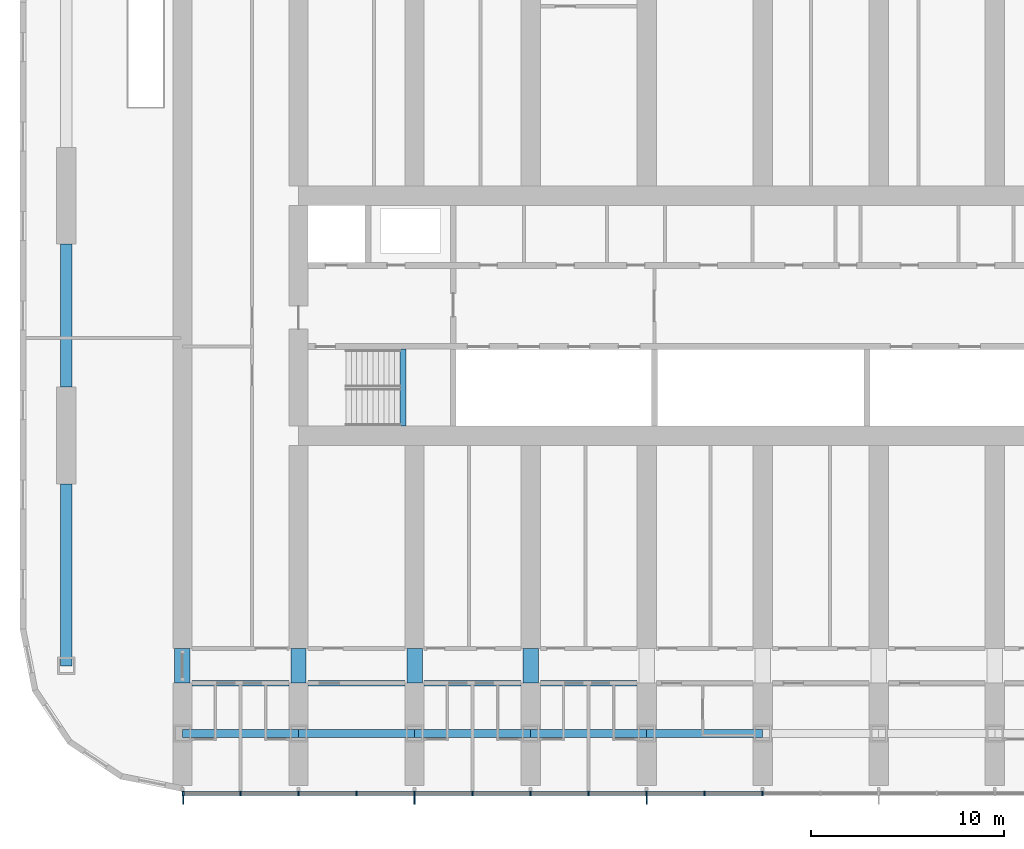
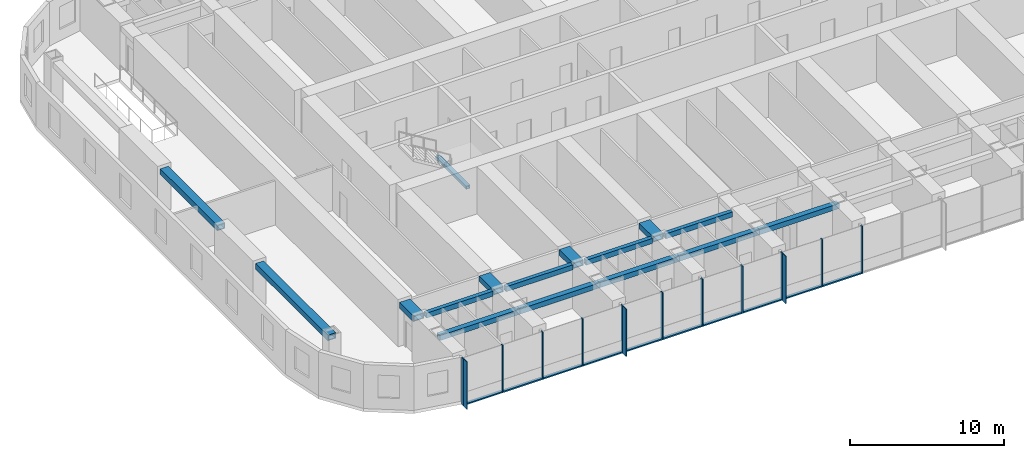
# One storey, part 2 of 23: 24 members, 16 beams, 1 element without a shape of its own.
"""IFC4 building model written with IfcOpenShell, lengths in metres."""

from ifc_helpers import new_model, si_unit, direction, frame, origin, origin_2d, place, context, subcontext, project, spatial, rectangle, hollow_rectangle, extrude, material, material_profile, profile_set, type_object, element, aggregate, save


model = new_model("IFC4")

# Units and contexts
model_context = context("Model", 3, precision=1e-05, world=origin(), true_north=direction((0.0, 1.0)))
body_context = subcontext(model_context, "Body", "Model", "MODEL_VIEW")
ifc_project = project(units=[si_unit("LENGTHUNIT", "METRE"), si_unit("AREAUNIT", "SQUARE_METRE"), si_unit("VOLUMEUNIT", "CUBIC_METRE"), si_unit("PLANEANGLEUNIT", "RADIAN"), si_unit("MASSUNIT", "GRAM", prefix="KILO")], contexts=[model_context])

# Site, building, storey
site_placement = place(None, origin())
site = spatial("IfcSite", under=ifc_project, at=site_placement, CompositionType="ELEMENT")
building_placement = place(site_placement, origin())
building = spatial("IfcBuilding", under=site, at=building_placement, Name="Orbita Commons", CompositionType="ELEMENT")
storey_placement = place(building_placement, frame((0.0, 0.0, 42.699951171875)))
storey = spatial("IfcBuildingStorey", under=building, at=storey_placement, Name="L10", CompositionType="ELEMENT", Elevation=42.699951171875)

# Curtain wall, members
ifc_material_1 = material(Name="Anodised aluminium frame, pale silver", Category="aluminium")
curtain_wall_type = type_object("IfcCurtainWallType", Name="Unitised curtain wall CW-T, vision and spandrel", PredefinedType="NOTDEFINED", material=ifc_material_1)
curtain_wall_placement = place(storey_placement, origin())
curtain_wall = element("IfcCurtainWall", 1, at=curtain_wall_placement, inside=storey, type_object=curtain_wall_type, Name="Curtain wall south L10", PredefinedType="NOTDEFINED")
ifc_material_2 = material(Name="Anodised aluminium, pale silver", Category="aluminium")
ifc_material_profile_1 = material_profile(ifc_material_2, rectangle(XDim=0.080078125, YDim=0.219970703125, at=origin_2d()), Name="AL 80x220")
ifc_profile_set_1 = profile_set([ifc_material_profile_1], Name="Anodised aluminium, pale silver")
member_type_1 = type_object("IfcMemberType", Name="Curtain wall mullion 80x220", PredefinedType="MULLION", material=ifc_profile_set_1)
member_1_placement = place(storey_placement, frame((12.0400390625, 7.2900390625, -0.25), z_axis=(0.0, 0.0, 1.0), x_axis=(1.0, 0.0, 0.0)))
member_1 = element("IfcMember", 2, at=member_1_placement, type_object=member_type_1, Name="Mullion 1 CW-L10-S", PredefinedType="MULLION", context=body_context, shape_type="SweptSolid", body=[
    extrude(rectangle(XDim=0.080078125, YDim=0.219970703125, at=origin_2d()), origin(), (0.0, 0.0, 1.0), 3.75),
])
member_2_placement = place(storey_placement, frame((15.0, 7.2900390625, -0.25), z_axis=(0.0, 0.0, 1.0), x_axis=(1.0, 0.0, 0.0)))
member_2 = element("IfcMember", 3, at=member_2_placement, type_object=member_type_1, Name="Mullion 2 CW-L10-S", PredefinedType="MULLION", context=body_context, shape_type="SweptSolid", body=[
    extrude(rectangle(XDim=0.080078125, YDim=0.219970703125, at=origin_2d()), origin(), (0.0, 0.0, 1.0), 3.75),
])
member_3_placement = place(storey_placement, frame((18.0, 7.2900390625, -0.25), z_axis=(0.0, 0.0, 1.0), x_axis=(1.0, 0.0, 0.0)))
member_3 = element("IfcMember", 4, at=member_3_placement, type_object=member_type_1, Name="Mullion 3 CW-L10-S", PredefinedType="MULLION", context=body_context, shape_type="SweptSolid", body=[
    extrude(rectangle(XDim=0.080078125, YDim=0.219970703125, at=origin_2d()), origin(), (0.0, 0.0, 1.0), 3.75),
])
member_4_placement = place(storey_placement, frame((21.0, 7.2900390625, -0.25), z_axis=(0.0, 0.0, 1.0), x_axis=(1.0, 0.0, 0.0)))
member_4 = element("IfcMember", 5, at=member_4_placement, type_object=member_type_1, Name="Mullion 4 CW-L10-S", PredefinedType="MULLION", context=body_context, shape_type="SweptSolid", body=[
    extrude(rectangle(XDim=0.080078125, YDim=0.219970703125, at=origin_2d()), origin(), (0.0, 0.0, 1.0), 3.75),
])
member_5_placement = place(storey_placement, frame((24.0, 7.2900390625, -0.25), z_axis=(0.0, 0.0, 1.0), x_axis=(1.0, 0.0, 0.0)))
member_5 = element("IfcMember", 6, at=member_5_placement, type_object=member_type_1, Name="Mullion 5 CW-L10-S", PredefinedType="MULLION", context=body_context, shape_type="SweptSolid", body=[
    extrude(rectangle(XDim=0.080078125, YDim=0.219970703125, at=origin_2d()), origin(), (0.0, 0.0, 1.0), 3.75),
])
member_6_placement = place(storey_placement, frame((27.0, 7.2900390625, -0.25), z_axis=(0.0, 0.0, 1.0), x_axis=(1.0, 0.0, 0.0)))
member_6 = element("IfcMember", 7, at=member_6_placement, type_object=member_type_1, Name="Mullion 6 CW-L10-S", PredefinedType="MULLION", context=body_context, shape_type="SweptSolid", body=[
    extrude(rectangle(XDim=0.080078125, YDim=0.219970703125, at=origin_2d()), origin(), (0.0, 0.0, 1.0), 3.75),
])
member_7_placement = place(storey_placement, frame((30.0, 7.2900390625, -0.25), z_axis=(0.0, 0.0, 1.0), x_axis=(1.0, 0.0, 0.0)))
member_7 = element("IfcMember", 8, at=member_7_placement, type_object=member_type_1, Name="Mullion 7 CW-L10-S", PredefinedType="MULLION", context=body_context, shape_type="SweptSolid", body=[
    extrude(rectangle(XDim=0.080078125, YDim=0.219970703125, at=origin_2d()), origin(), (0.0, 0.0, 1.0), 3.75),
])
member_8_placement = place(storey_placement, frame((33.0, 7.2900390625, -0.25), z_axis=(0.0, 0.0, 1.0), x_axis=(1.0, 0.0, 0.0)))
member_8 = element("IfcMember", 9, at=member_8_placement, type_object=member_type_1, Name="Mullion 8 CW-L10-S", PredefinedType="MULLION", context=body_context, shape_type="SweptSolid", body=[
    extrude(rectangle(XDim=0.080078125, YDim=0.219970703125, at=origin_2d()), origin(), (0.0, 0.0, 1.0), 3.75),
])
member_9_placement = place(storey_placement, frame((36.0, 7.2900390625, -0.25), z_axis=(0.0, 0.0, 1.0), x_axis=(1.0, 0.0, 0.0)))
member_9 = element("IfcMember", 10, at=member_9_placement, type_object=member_type_1, Name="Mullion 9 CW-L10-S", PredefinedType="MULLION", context=body_context, shape_type="SweptSolid", body=[
    extrude(rectangle(XDim=0.080078125, YDim=0.219970703125, at=origin_2d()), origin(), (0.0, 0.0, 1.0), 3.75),
])
member_10_placement = place(storey_placement, frame((39.0, 7.2900390625, -0.25), z_axis=(0.0, 0.0, 1.0), x_axis=(1.0, 0.0, 0.0)))
member_10 = element("IfcMember", 11, at=member_10_placement, type_object=member_type_1, Name="Mullion 10 CW-L10-S", PredefinedType="MULLION", context=body_context, shape_type="SweptSolid", body=[
    extrude(rectangle(XDim=0.080078125, YDim=0.219970703125, at=origin_2d()), origin(), (0.0, 0.0, 1.0), 3.75),
])
member_11_placement = place(storey_placement, frame((42.0, 7.2900390625, -0.25), z_axis=(0.0, 0.0, 1.0), x_axis=(1.0, 0.0, 0.0)))
member_11 = element("IfcMember", 12, at=member_11_placement, type_object=member_type_1, Name="Mullion 11 CW-L10-S", PredefinedType="MULLION", context=body_context, shape_type="SweptSolid", body=[
    extrude(rectangle(XDim=0.080078125, YDim=0.219970703125, at=origin_2d()), origin(), (0.0, 0.0, 1.0), 3.75),
])
ifc_material_3 = material(Name="Anodised aluminium, pale silver", Category="aluminium")
ifc_material_profile_2 = material_profile(ifc_material_3, rectangle(XDim=0.219970703125, YDim=0.10009765625, at=origin_2d()), Name="AL 220x100")
ifc_profile_set_2 = profile_set([ifc_material_profile_2], Name="Anodised aluminium, pale silver")
member_type_2 = type_object("IfcMemberType", Name="Curtain wall stack transom 220x100", PredefinedType="USERDEFINED", material=ifc_profile_set_2)
member_12_placement = place(storey_placement, frame((12.080078125, 7.2900390625, -0.199951171875), z_axis=(1.0, 0.0, 0.0), x_axis=(0.0, 1.0, 0.0)))
member_12 = element("IfcMember", 13, at=member_12_placement, type_object=member_type_2, Name="Transom 1.1 CW-L10-S", ObjectType="TRANSOM", PredefinedType="USERDEFINED", context=body_context, shape_type="SweptSolid", body=[
    extrude(rectangle(XDim=0.219970703125, YDim=0.10009765625, at=origin_2d()), origin(), (0.0, 0.0, 1.0), 2.8798828125),
])
member_13_placement = place(storey_placement, frame((15.0400390625, 7.2900390625, -0.199951171875), z_axis=(1.0, 0.0, 0.0), x_axis=(0.0, 1.0, 0.0)))
member_13 = element("IfcMember", 14, at=member_13_placement, type_object=member_type_2, Name="Transom 2.1 CW-L10-S", ObjectType="TRANSOM", PredefinedType="USERDEFINED", context=body_context, shape_type="SweptSolid", body=[
    extrude(rectangle(XDim=0.219970703125, YDim=0.10009765625, at=origin_2d()), origin(), (0.0, 0.0, 1.0), 2.919921875),
])
member_14_placement = place(storey_placement, frame((18.0400390625, 7.2900390625, -0.199951171875), z_axis=(1.0, 0.0, 0.0), x_axis=(0.0, 1.0, 0.0)))
member_14 = element("IfcMember", 15, at=member_14_placement, type_object=member_type_2, Name="Transom 3.1 CW-L10-S", ObjectType="TRANSOM", PredefinedType="USERDEFINED", context=body_context, shape_type="SweptSolid", body=[
    extrude(rectangle(XDim=0.219970703125, YDim=0.10009765625, at=origin_2d()), origin(), (0.0, 0.0, 1.0), 2.919921875),
])
member_15_placement = place(storey_placement, frame((21.0400390625, 7.2900390625, -0.199951171875), z_axis=(1.0, 0.0, 0.0), x_axis=(0.0, 1.0, 0.0)))
member_15 = element("IfcMember", 16, at=member_15_placement, type_object=member_type_2, Name="Transom 4.1 CW-L10-S", ObjectType="TRANSOM", PredefinedType="USERDEFINED", context=body_context, shape_type="SweptSolid", body=[
    extrude(rectangle(XDim=0.219970703125, YDim=0.10009765625, at=origin_2d()), origin(), (0.0, 0.0, 1.0), 2.919921875),
])
member_16_placement = place(storey_placement, frame((24.0400390625, 7.2900390625, -0.199951171875), z_axis=(1.0, 0.0, 0.0), x_axis=(0.0, 1.0, 0.0)))
member_16 = element("IfcMember", 17, at=member_16_placement, type_object=member_type_2, Name="Transom 5.1 CW-L10-S", ObjectType="TRANSOM", PredefinedType="USERDEFINED", context=body_context, shape_type="SweptSolid", body=[
    extrude(rectangle(XDim=0.219970703125, YDim=0.10009765625, at=origin_2d()), origin(), (0.0, 0.0, 1.0), 2.919921875),
])
member_17_placement = place(storey_placement, frame((27.0400390625, 7.2900390625, -0.199951171875), z_axis=(1.0, 0.0, 0.0), x_axis=(0.0, 1.0, 0.0)))
member_17 = element("IfcMember", 18, at=member_17_placement, type_object=member_type_2, Name="Transom 6.1 CW-L10-S", ObjectType="TRANSOM", PredefinedType="USERDEFINED", context=body_context, shape_type="SweptSolid", body=[
    extrude(rectangle(XDim=0.219970703125, YDim=0.10009765625, at=origin_2d()), origin(), (0.0, 0.0, 1.0), 2.919921875),
])
member_18_placement = place(storey_placement, frame((30.0400390625, 7.2900390625, -0.199951171875), z_axis=(1.0, 0.0, 0.0), x_axis=(0.0, 1.0, 0.0)))
member_18 = element("IfcMember", 19, at=member_18_placement, type_object=member_type_2, Name="Transom 7.1 CW-L10-S", ObjectType="TRANSOM", PredefinedType="USERDEFINED", context=body_context, shape_type="SweptSolid", body=[
    extrude(rectangle(XDim=0.219970703125, YDim=0.10009765625, at=origin_2d()), origin(), (0.0, 0.0, 1.0), 2.919921875),
])
member_19_placement = place(storey_placement, frame((33.0400390625, 7.2900390625, -0.199951171875), z_axis=(1.0, 0.0, 0.0), x_axis=(0.0, 1.0, 0.0)))
member_19 = element("IfcMember", 20, at=member_19_placement, type_object=member_type_2, Name="Transom 8.1 CW-L10-S", ObjectType="TRANSOM", PredefinedType="USERDEFINED", context=body_context, shape_type="SweptSolid", body=[
    extrude(rectangle(XDim=0.219970703125, YDim=0.10009765625, at=origin_2d()), origin(), (0.0, 0.0, 1.0), 2.919921875),
])
member_20_placement = place(storey_placement, frame((36.0400390625, 7.2900390625, -0.199951171875), z_axis=(1.0, 0.0, 0.0), x_axis=(0.0, 1.0, 0.0)))
member_20 = element("IfcMember", 21, at=member_20_placement, type_object=member_type_2, Name="Transom 9.1 CW-L10-S", ObjectType="TRANSOM", PredefinedType="USERDEFINED", context=body_context, shape_type="SweptSolid", body=[
    extrude(rectangle(XDim=0.219970703125, YDim=0.10009765625, at=origin_2d()), origin(), (0.0, 0.0, 1.0), 2.919921875),
])
member_21_placement = place(storey_placement, frame((39.0400390625, 7.2900390625, -0.199951171875), z_axis=(1.0, 0.0, 0.0), x_axis=(0.0, 1.0, 0.0)))
member_21 = element("IfcMember", 22, at=member_21_placement, type_object=member_type_2, Name="Transom 10.1 CW-L10-S", ObjectType="TRANSOM", PredefinedType="USERDEFINED", context=body_context, shape_type="SweptSolid", body=[
    extrude(rectangle(XDim=0.219970703125, YDim=0.10009765625, at=origin_2d()), origin(), (0.0, 0.0, 1.0), 2.919921875),
])

# Beams
ifc_material_4 = material(Name="Steel ASTM A572 Gr 50 welded plate", Category="steel")
ifc_material_profile_3 = material_profile(ifc_material_4, hollow_rectangle(XDim=0.300048828125, YDim=0.25, WallThickness=0.02490234375, at=origin_2d()), Name="BOX 250x300x25")
ifc_profile_set_3 = profile_set([ifc_material_profile_3], Name="Steel ASTM A572 Gr 50 welded plate")
beam_type_1 = type_object("IfcBeamType", Name="Stair landing beam steel BOX 250x300x25", PredefinedType="BEAM", material=ifc_profile_set_3)
beam_1_placement = place(storey_placement, frame((23.39990234375, 26.284912109375, 1.550048828125), z_axis=(0.0, 1.0, 0.0), x_axis=(-1.0, 0.0, 0.0)))
element("IfcBeam", 23, at=beam_1_placement, inside=storey, type_object=beam_type_1, Name="Stair S1 landing beam L10 1", PredefinedType="BEAM", context=body_context, shape_type="SweptSolid", body=[
    extrude(hollow_rectangle(XDim=0.300048828125, YDim=0.25, WallThickness=0.02490234375, at=origin_2d()), origin(), (0.0, 0.0, 1.0), 3.97998046875),
])
ifc_material_5 = material(Name="Steel ASTM A572 Gr 50 welded plate", Category="steel")
ifc_material_profile_4 = material_profile(ifc_material_5, hollow_rectangle(XDim=0.300048828125, YDim=0.39990234375, WallThickness=0.0400390625, at=origin_2d()), Name="BOX 400x300x40")
ifc_profile_set_4 = profile_set([ifc_material_profile_4], Name="Steel ASTM A572 Gr 50 welded plate")
beam_type_2 = type_object("IfcBeamType", Name="Steel corridor link BOX 400x300x40", PredefinedType="BEAM", material=ifc_profile_set_4)
for number, where, z_axis, x_axis, name in (
    (24, (12.5, 13.0, 3.300048828125), (1.0, 0.0, 0.0), (0.0, 1.0, 0.0), "Corridor beam SA 3-4 L10"),
    (25, (18.5, 13.0, 3.300048828125), (1.0, 0.0, 0.0), (0.0, 1.0, 0.0), "Corridor beam SA 4-5 L10"),
    (26, (24.5, 13.0, 3.300048828125), (1.0, 0.0, 0.0), (0.0, 1.0, 0.0), "Corridor beam SA 5-6 L10"),
    (27, (30.5, 13.0, 3.300048828125), (1.0, 0.0, 0.0), (0.0, 1.0, 0.0), "Corridor beam SA 6-7 L10"),
):
    element("IfcBeam", number, at=place(storey_placement, frame(where, z_axis=z_axis, x_axis=x_axis)), inside=storey, type_object=beam_type_2, Name=name, PredefinedType="BEAM", context=body_context, shape_type="SweptSolid", body=[
        extrude(hollow_rectangle(XDim=0.300048828125, YDim=0.39990234375, WallThickness=0.0400390625, at=origin_2d()), origin(), (0.0, 0.0, 1.0), 5.0),
    ])
ifc_material_6 = material(Name="Steel ASTM A572 Gr 50 welded plate", Category="steel")
ifc_material_profile_5 = material_profile(ifc_material_6, hollow_rectangle(XDim=0.800048828125, YDim=0.449951171875, WallThickness=0.06005859375, at=origin_2d()), Name="BOX 450x800x60")
ifc_profile_set_5 = profile_set([ifc_material_profile_5], Name="Steel ASTM A572 Gr 50 welded plate")
beam_type_3 = type_object("IfcBeamType", Name="Steel coupling link BOX 450x800x60", PredefinedType="LINTEL", material=ifc_profile_set_5)
for number, where, z_axis, x_axis, name in (
    (28, (12.0, 13.0, 3.275146484375), (0.0, 1.0, 0.0), (-1.0, 0.0, 0.0), "Coupling beam 3 south L10"),
    (29, (18.0, 13.0, 3.275146484375), (0.0, 1.0, 0.0), (-1.0, 0.0, 0.0), "Coupling beam 4 south L10"),
    (30, (24.0, 13.0, 3.275146484375), (0.0, 1.0, 0.0), (-1.0, 0.0, 0.0), "Coupling beam 5 south L10"),
    (31, (30.0, 13.0, 3.275146484375), (0.0, 1.0, 0.0), (-1.0, 0.0, 0.0), "Coupling beam 6 south L10"),
):
    element("IfcBeam", number, at=place(storey_placement, frame(where, z_axis=z_axis, x_axis=x_axis)), inside=storey, type_object=beam_type_3, Name=name, PredefinedType="LINTEL", context=body_context, shape_type="SweptSolid", body=[
        extrude(hollow_rectangle(XDim=0.800048828125, YDim=0.449951171875, WallThickness=0.06005859375, at=origin_2d()), origin(), (0.0, 0.0, 1.0), 1.800048828125),
    ])
ifc_material_7 = material(Name="Steel ASTM A572 Gr 50 welded plate", Category="steel")
ifc_material_profile_6 = material_profile(ifc_material_7, hollow_rectangle(XDim=0.60009765625, YDim=0.449951171875, WallThickness=0.06005859375, at=origin_2d()), Name="BOX 450x600x60")
ifc_profile_set_6 = profile_set([ifc_material_profile_6], Name="Steel ASTM A572 Gr 50 welded plate")
beam_type_4 = type_object("IfcBeamType", Name="Steel end frame link BOX 450x600x60", PredefinedType="BEAM", material=ifc_profile_set_6)
beam_2_placement = place(storey_placement, frame((6.0, 13.89990234375, 3.275146484375), z_axis=(0.0, 1.0, 0.0), x_axis=(-1.0, 0.0, 0.0)))
element("IfcBeam", 32, at=beam_2_placement, inside=storey, type_object=beam_type_4, Name="End frame beam 2 B-C L10", PredefinedType="BEAM", context=body_context, shape_type="SweptSolid", body=[
    extrude(hollow_rectangle(XDim=0.60009765625, YDim=0.449951171875, WallThickness=0.06005859375, at=origin_2d()), origin(), (0.0, 0.0, 1.0), 9.400146484375),
])
beam_3_placement = place(storey_placement, frame((6.0, 28.300048828125, 3.275146484375), z_axis=(0.0, 1.0, 0.0), x_axis=(-1.0, 0.0, 0.0)))
element("IfcBeam", 33, at=beam_3_placement, inside=storey, type_object=beam_type_4, Name="End frame beam 2 C-D L10", PredefinedType="BEAM", context=body_context, shape_type="SweptSolid", body=[
    extrude(hollow_rectangle(XDim=0.60009765625, YDim=0.449951171875, WallThickness=0.06005859375, at=origin_2d()), origin(), (0.0, 0.0, 1.0), 7.39990234375),
])
ifc_material_8 = material(Name="Steel ASTM A572 Gr 50 welded plate", Category="steel")
ifc_material_profile_7 = material_profile(ifc_material_8, hollow_rectangle(XDim=0.39990234375, YDim=0.39990234375, WallThickness=0.0400390625, at=origin_2d()), Name="BOX 400x400x40")
ifc_profile_set_7 = profile_set([ifc_material_profile_7], Name="Steel ASTM A572 Gr 50 welded plate")
beam_type_5 = type_object("IfcBeamType", Name="Steel spandrel BOX 400x400x40", PredefinedType="SPANDREL", material=ifc_profile_set_7)
for number, where, z_axis, x_axis, name in (
    (34, (12.0, 10.39990234375, 3.300048828125), (1.0, 0.0, 0.0), (0.0, 1.0, 0.0), "Spandrel beam B 3-4 L10"),
    (35, (18.0, 10.39990234375, 3.300048828125), (1.0, 0.0, 0.0), (0.0, 1.0, 0.0), "Spandrel beam B 4-5 L10"),
    (36, (24.0, 10.39990234375, 3.300048828125), (1.0, 0.0, 0.0), (0.0, 1.0, 0.0), "Spandrel beam B 5-6 L10"),
    (37, (30.0, 10.39990234375, 3.300048828125), (1.0, 0.0, 0.0), (0.0, 1.0, 0.0), "Spandrel beam B 6-7 L10"),
    (38, (36.0, 10.39990234375, 3.300048828125), (1.0, 0.0, 0.0), (0.0, 1.0, 0.0), "Spandrel beam B 7-8 L10"),
):
    element("IfcBeam", number, at=place(storey_placement, frame(where, z_axis=z_axis, x_axis=x_axis)), inside=storey, type_object=beam_type_5, Name=name, PredefinedType="SPANDREL", context=body_context, shape_type="SweptSolid", body=[
        extrude(hollow_rectangle(XDim=0.39990234375, YDim=0.39990234375, WallThickness=0.0400390625, at=origin_2d()), origin(), (0.0, 0.0, 1.0), 6.0),
    ])

# Member
ifc_material_9 = material(Name="Anodised aluminium, pale silver", Category="aluminium")
ifc_material_profile_8 = material_profile(ifc_material_9, rectangle(XDim=0.06005859375, YDim=0.449951171875, at=origin_2d()), Name="FIN 60x450")
ifc_profile_set_8 = profile_set([ifc_material_profile_8], Name="Anodised aluminium, pale silver")
member_type_3 = type_object("IfcMemberType", Name="Vertical fin 60x450 pale aluminium", PredefinedType="USERDEFINED", material=ifc_profile_set_8)
member_22_placement = place(storey_placement, frame((12.0400390625, 6.955078125, -0.25), z_axis=(0.0, 0.0, 1.0), x_axis=(1.0, 0.0, 0.0)))
member_22 = element("IfcMember", 39, at=member_22_placement, type_object=member_type_3, Name="Fin 1 CW-L10-S", ObjectType="FIN", PredefinedType="USERDEFINED", context=body_context, shape_type="SweptSolid", body=[
    extrude(rectangle(XDim=0.06005859375, YDim=0.449951171875, at=origin_2d()), origin(), (0.0, 0.0, 1.0), 3.75),
])

member_23_placement = place(storey_placement, frame((24.0, 6.955078125, -0.25), z_axis=(0.0, 0.0, 1.0), x_axis=(1.0, 0.0, 0.0)))
member_23 = element("IfcMember", 40, at=member_23_placement, type_object=member_type_3, Name="Fin 5 CW-L10-S", ObjectType="FIN", PredefinedType="USERDEFINED", context=body_context, shape_type="SweptSolid", body=[
    extrude(rectangle(XDim=0.06005859375, YDim=0.449951171875, at=origin_2d()), origin(), (0.0, 0.0, 1.0), 3.75),
])

member_24_placement = place(storey_placement, frame((36.0, 6.955078125, -0.25), z_axis=(0.0, 0.0, 1.0), x_axis=(1.0, 0.0, 0.0)))
member_24 = element("IfcMember", 41, at=member_24_placement, type_object=member_type_3, Name="Fin 9 CW-L10-S", ObjectType="FIN", PredefinedType="USERDEFINED", context=body_context, shape_type="SweptSolid", body=[
    extrude(rectangle(XDim=0.06005859375, YDim=0.449951171875, at=origin_2d()), origin(), (0.0, 0.0, 1.0), 3.75),
])

aggregate(curtain_wall, [member_1, member_22, member_2, member_3, member_4, member_5, member_23, member_6, member_7, member_8, member_9, member_24, member_10, member_11, member_12, member_13, member_14, member_15, member_16, member_17, member_18, member_19, member_20, member_21])

save(model, "model.ifc")
